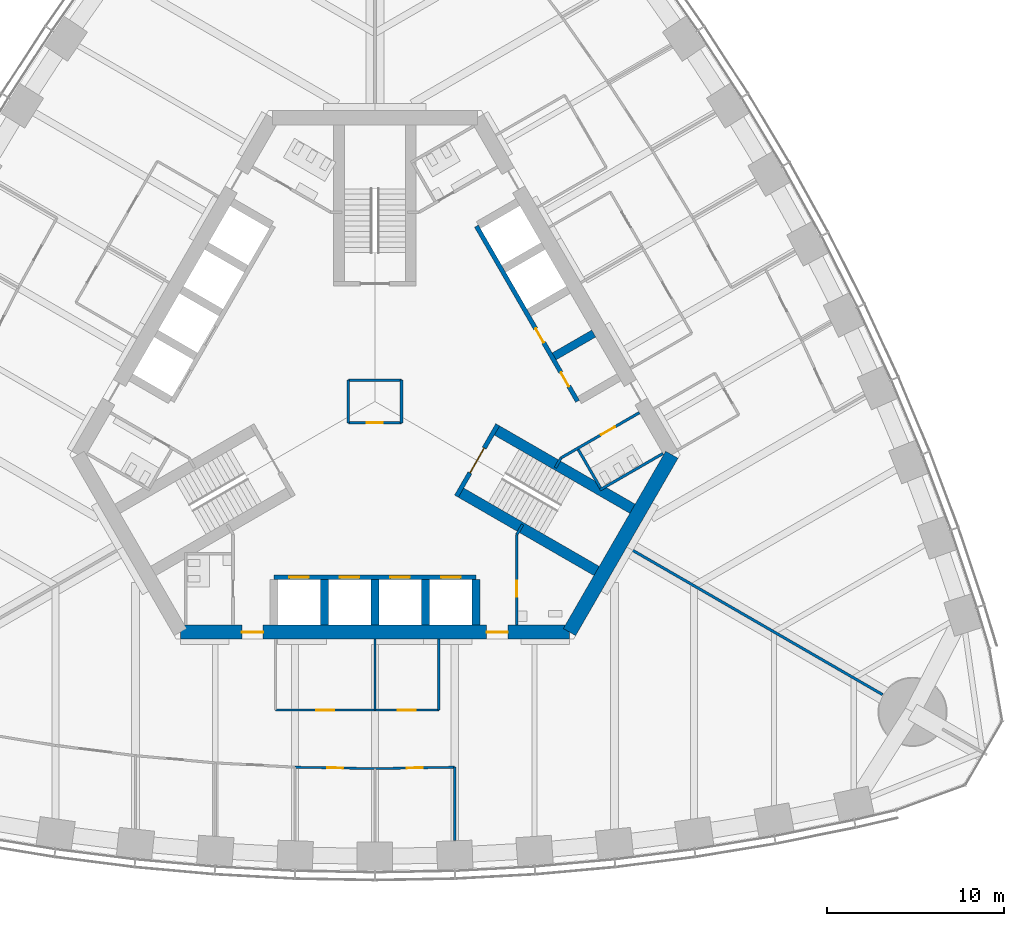
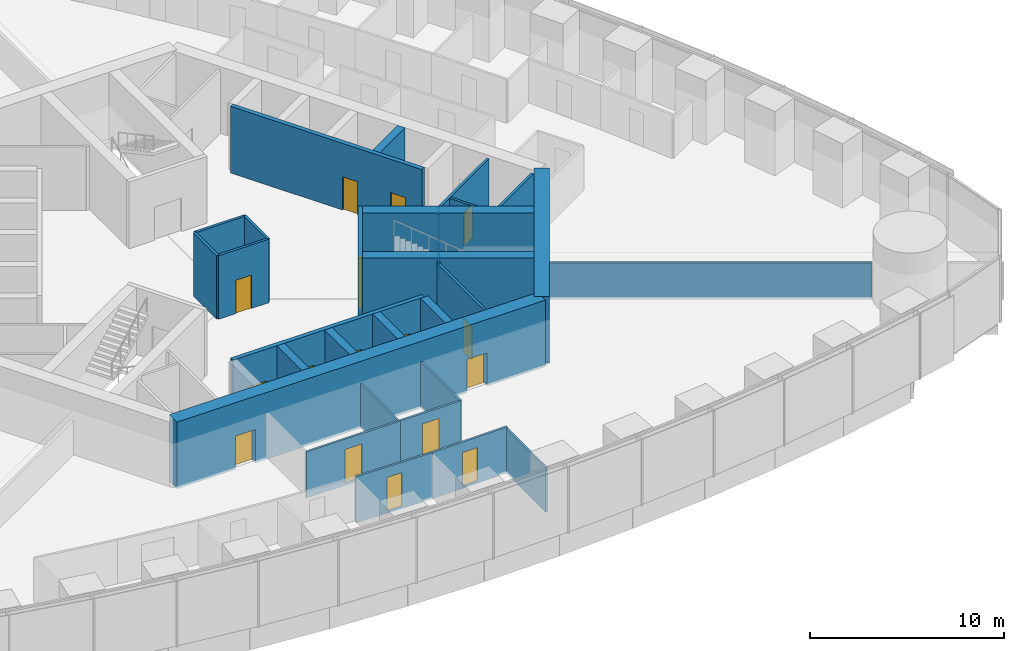
# One storey, part 11 of 18: 30 walls, 16 doors, 16 openings.
"""IFC4 building model written with IfcOpenShell, lengths in metres."""

from ifc_helpers import new_model, si_unit, direction, frame, frame_2d, origin, place, context, subcontext, project, spatial, rectangle, extrude, material, layer, layer_set, type_object, element, fill, save


model = new_model("IFC4")

# Units and contexts
model_context = context("Model", 3, precision=1e-05, world=origin(), true_north=direction((0.0, 1.0)))
body_context = subcontext(model_context, "Body", "Model", "MODEL_VIEW")
ifc_project = project(units=[si_unit("LENGTHUNIT", "METRE"), si_unit("AREAUNIT", "SQUARE_METRE"), si_unit("VOLUMEUNIT", "CUBIC_METRE"), si_unit("PLANEANGLEUNIT", "RADIAN"), si_unit("MASSUNIT", "GRAM", prefix="KILO")], contexts=[model_context])

# Site, building, storey
site_placement = place(None, origin())
site = spatial("IfcSite", under=ifc_project, at=site_placement, CompositionType="ELEMENT")
building_placement = place(site_placement, origin())
building = spatial("IfcBuilding", under=site, at=building_placement, Name="Trefoil Bronze Tower", CompositionType="ELEMENT")
storey_placement = place(building_placement, frame((0.0, 0.0, 157.699951171875)))
storey = spatial("IfcBuildingStorey", under=building, at=storey_placement, Name="L36", CompositionType="ELEMENT", Elevation=157.699951171875)

# Wall, openings, doors
ifc_material_1 = material(Name="Concrete B80", Category="concrete")
ifc_layer_1 = layer(ifc_material_1, 0.800048828125)
ifc_layer_set_1 = layer_set([ifc_layer_1], Name="Core wall 800")
wall_type_1 = type_object("IfcWallType", Name="Core wall 800", PredefinedType="SHEAR", material=ifc_layer_set_1)
wall_1_placement = place(storey_placement, frame((-10.9697265625, -13.0, 0.0), z_axis=(0.0, 0.0, 1.0), x_axis=(1.0, 0.0, 0.0)))
wall_1 = element("IfcWall", 1, at=wall_1_placement, inside=storey, type_object=wall_type_1, Name="Core long wall 1 L36", PredefinedType="SHEAR", context=body_context, shape_type="SweptSolid", body=[
    extrude(rectangle(XDim=21.939453125, YDim=0.800048828125, at=frame_2d((10.9697265625, 0.0))), origin(), (0.0, 0.0, 1.0), 4.199951171875),
])
opening_1_placement = place(wall_1_placement, frame((17.269775390625, 0.0, 0.0)))
opening_1 = element("IfcOpeningElement", 2, at=opening_1_placement, cuts=wall_1, Name="Opening D2", PredefinedType="OPENING", context=body_context, shape_type="SweptSolid", body=[
    extrude(rectangle(XDim=1.199951171875, YDim=2.10009765625, at=frame_2d((0.60009765625, 1.050048828125))), frame((0.0, 0.409912109375, 0.0), z_axis=(0.0, -1.0, 0.0), x_axis=(1.0, 0.0, 0.0)), (0.0, 0.0, 1.0), 0.820068359375),
])
opening_2_placement = place(wall_1_placement, frame((3.4697265625, 0.0, 0.0)))
opening_2 = element("IfcOpeningElement", 3, at=opening_2_placement, cuts=wall_1, Name="Opening D2", PredefinedType="OPENING", context=body_context, shape_type="SweptSolid", body=[
    extrude(rectangle(XDim=1.199951171875, YDim=2.10009765625, at=frame_2d((0.60009765625, 1.050048828125))), frame((0.0, 0.409912109375, 0.0), z_axis=(0.0, -1.0, 0.0), x_axis=(1.0, 0.0, 0.0)), (0.0, 0.0, 1.0), 0.820068359375),
])
ifc_material_2 = material(Name="Steel door", Category="steel")
door_type_1 = type_object("IfcDoorType", Name="Lobby door 1200", OperationType="SINGLE_SWING_RIGHT", PredefinedType="DOOR", material=ifc_material_2)
door_1_placement = place(opening_1_placement, origin())
door_1 = element("IfcDoor", 4, at=door_1_placement, inside=storey, type_object=door_type_1, Name="Lobby door F1+ L36", OperationType="SINGLE_SWING_RIGHT", OverallHeight=2.10009765625, OverallWidth=1.199951171875, PredefinedType="DOOR", context=body_context, shape_type="SweptSolid", body=[
    extrude(rectangle(XDim=1.199951171875, YDim=2.10009765625, at=frame_2d((0.60009765625, 1.050048828125))), frame((0.0, 0.02490234375, 0.0), z_axis=(0.0, -1.0, 0.0), x_axis=(1.0, 0.0, 0.0)), (0.0, 0.0, 1.0), 0.050048828125),
])
fill(opening_1, door_1)
door_2_placement = place(opening_2_placement, origin())
door_2 = element("IfcDoor", 5, at=door_2_placement, inside=storey, type_object=door_type_1, Name="Lobby door F1- L36", OperationType="SINGLE_SWING_LEFT", OverallHeight=2.10009765625, OverallWidth=1.199951171875, PredefinedType="DOOR", context=body_context, shape_type="SweptSolid", body=[
    extrude(rectangle(XDim=1.199951171875, YDim=2.10009765625, at=frame_2d((0.60009765625, 1.050048828125))), frame((0.0, 0.02490234375, 0.0), z_axis=(0.0, -1.0, 0.0), x_axis=(1.0, 0.0, 0.0)), (0.0, 0.0, 1.0), 0.050048828125),
])
fill(opening_2, door_2)

# Wall
wall_2_placement = place(storey_placement, frame((10.9697265625, -13.0, 0.0), z_axis=(0.0, 0.0, 1.0), x_axis=(0.499995765644, 0.866027848477, 0.0)))
element("IfcWall", 6, at=wall_2_placement, inside=storey, type_object=wall_type_1, Name="Core short wall 1 L36", PredefinedType="SHEAR", context=body_context, shape_type="SweptSolid", body=[
    extrude(rectangle(XDim=11.546875, YDim=0.800048828125, at=frame_2d((5.7734375, 0.0))), origin(), (0.0, 0.0, 1.0), 4.199951171875),
])

# Wall, opening, door
ifc_material_3 = material(Name="Glazed partition", Category="glass")
ifc_layer_2 = layer(ifc_material_3, 0.1201171875)
ifc_layer_set_2 = layer_set([ifc_layer_2], Name="Glazed partition 120")
wall_type_2 = type_object("IfcWallType", Name="Glazed partition 120", PredefinedType="PARTITIONING", material=ifc_layer_set_2)
wall_3_placement = place(storey_placement, frame((0.0, -17.39990234375, 0.0), z_axis=(0.0, 0.0, 1.0), x_axis=(1.0, 0.0, 0.0)))
wall_3 = element("IfcWall", 7, at=wall_3_placement, inside=storey, type_object=wall_type_2, Name="Partition F1 L36", PredefinedType="PARTITIONING", context=body_context, shape_type="SweptSolid", body=[
    extrude(rectangle(XDim=3.60009765625, YDim=0.1201171875, at=frame_2d((1.800048828125, 0.0))), origin(), (0.0, 0.0, 1.0), 2.900146484375),
])
opening_3_placement = place(wall_3_placement, frame((1.300048828125, 0.0, 0.14990234375)))
opening_3 = element("IfcOpeningElement", 8, at=opening_3_placement, cuts=wall_3, Name="Opening D9", PredefinedType="OPENING", context=body_context, shape_type="SweptSolid", body=[
    extrude(rectangle(XDim=1.0, YDim=2.10009765625, at=frame_2d((0.5, 1.050048828125))), frame((0.0, 0.070068359375, 0.0), z_axis=(0.0, -1.0, 0.0), x_axis=(1.0, 0.0, 0.0)), (0.0, 0.0, 1.0), 0.14013671875),
])
ifc_material_4 = material(Name="Glazed timber door", Category="wood")
door_type_2 = type_object("IfcDoorType", Name="Meeting room door 1000", OperationType="SINGLE_SWING_LEFT", PredefinedType="DOOR", material=ifc_material_4)
door_3_placement = place(opening_3_placement, origin())
door_3 = element("IfcDoor", 9, at=door_3_placement, inside=storey, type_object=door_type_2, Name="Meeting room door F1 L36", OperationType="SINGLE_SWING_LEFT", OverallHeight=2.10009765625, OverallWidth=1.0, PredefinedType="DOOR", context=body_context, shape_type="SweptSolid", body=[
    extrude(rectangle(XDim=1.0, YDim=2.10009765625, at=frame_2d((0.5, 1.050048828125))), frame((0.0, 0.02490234375, 0.0), z_axis=(0.0, -1.0, 0.0), x_axis=(1.0, 0.0, 0.0)), (0.0, 0.0, 1.0), 0.050048828125),
])
fill(opening_3, door_3)

wall_4_placement = place(storey_placement, frame((-5.60009765625, -17.39990234375, 0.0), z_axis=(0.0, 0.0, 1.0), x_axis=(1.0, 0.0, 0.0)))
wall_4 = element("IfcWall", 10, at=wall_4_placement, inside=storey, type_object=wall_type_2, Name="Partition F1 L36", PredefinedType="PARTITIONING", context=body_context, shape_type="SweptSolid", body=[
    extrude(rectangle(XDim=5.60009765625, YDim=0.1201171875, at=frame_2d((2.800048828125, 0.0))), origin(), (0.0, 0.0, 1.0), 2.900146484375),
])
opening_4_placement = place(wall_4_placement, frame((2.300048828125, 0.0, 0.14990234375)))
opening_4 = element("IfcOpeningElement", 11, at=opening_4_placement, cuts=wall_4, Name="Opening D9", PredefinedType="OPENING", context=body_context, shape_type="SweptSolid", body=[
    extrude(rectangle(XDim=1.0, YDim=2.10009765625, at=frame_2d((0.5, 1.050048828125))), frame((0.0, 0.070068359375, 0.0), z_axis=(0.0, -1.0, 0.0), x_axis=(1.0, 0.0, 0.0)), (0.0, 0.0, 1.0), 0.14013671875),
])
door_4_placement = place(opening_4_placement, origin())
door_4 = element("IfcDoor", 12, at=door_4_placement, inside=storey, type_object=door_type_2, Name="Meeting room door F1 L36", OperationType="SINGLE_SWING_LEFT", OverallHeight=2.10009765625, OverallWidth=1.0, PredefinedType="DOOR", context=body_context, shape_type="SweptSolid", body=[
    extrude(rectangle(XDim=1.0, YDim=2.10009765625, at=frame_2d((0.5, 1.050048828125))), frame((0.0, 0.02490234375, 0.0), z_axis=(0.0, -1.0, 0.0), x_axis=(1.0, 0.0, 0.0)), (0.0, 0.0, 1.0), 0.050048828125),
])
fill(opening_4, door_4)

# Walls
wall_5_placement = place(storey_placement, frame((3.60009765625, -13.39990234375, 0.0), z_axis=(0.0, 0.0, 1.0), x_axis=(0.0, -1.0, 0.0)))
element("IfcWall", 13, at=wall_5_placement, inside=storey, type_object=wall_type_2, Name="Partition F1 L36", PredefinedType="PARTITIONING", context=body_context, shape_type="SweptSolid", body=[
    extrude(rectangle(XDim=4.0, YDim=0.1201171875, at=frame_2d((2.0, 0.0))), origin(), (0.0, 0.0, 1.0), 2.900146484375),
])
wall_6_placement = place(storey_placement, frame((0.0, -13.39990234375, 0.0), z_axis=(0.0, 0.0, 1.0), x_axis=(0.0, -1.0, 0.0)))
element("IfcWall", 14, at=wall_6_placement, inside=storey, type_object=wall_type_2, Name="Partition F1 L36", PredefinedType="PARTITIONING", context=body_context, shape_type="SweptSolid", body=[
    extrude(rectangle(XDim=4.0, YDim=0.1201171875, at=frame_2d((2.0, 0.0))), origin(), (0.0, 0.0, 1.0), 2.800048828125),
])

# Wall, opening, door
wall_7_placement = place(storey_placement, frame((0.0, -20.69970703125, 0.0), z_axis=(0.0, 0.0, 1.0), x_axis=(0.999837820638, 0.018009231578, 0.0)))
wall_7 = element("IfcWall", 15, at=wall_7_placement, inside=storey, type_object=wall_type_2, Name="Partition F1 L36", PredefinedType="PARTITIONING", context=body_context, shape_type="SweptSolid", body=[
    extrude(rectangle(XDim=4.500732421875, YDim=0.1201171875, at=frame_2d((2.25048828125, 0.0))), origin(), (0.0, 0.0, 1.0), 2.900146484375),
])
opening_5_placement = place(wall_7_placement, frame((1.800048828125, 0.0, 0.14990234375)))
opening_5 = element("IfcOpeningElement", 16, at=opening_5_placement, cuts=wall_7, Name="Opening D8", PredefinedType="OPENING", context=body_context, shape_type="SweptSolid", body=[
    extrude(rectangle(XDim=0.89990234375, YDim=2.10009765625, at=frame_2d((0.449951171875, 1.050048828125))), frame((0.0, 0.070068359375, 0.0), z_axis=(0.0, -1.0, 0.0), x_axis=(1.0, 0.0, 0.0)), (0.0, 0.0, 1.0), 0.14013671875),
])
ifc_material_5 = material(Name="Timber door", Category="wood")
door_type_3 = type_object("IfcDoorType", Name="Office door 900", OperationType="SINGLE_SWING_LEFT", PredefinedType="DOOR", material=ifc_material_5)
door_5_placement = place(opening_5_placement, frame((0.89990234375, 0.0, 0.0), z_axis=(0.0, 0.0, 1.0), x_axis=(-1.0, 0.0, 0.0)))
door_5 = element("IfcDoor", 17, at=door_5_placement, inside=storey, type_object=door_type_3, Name="Office door F1 L36", OperationType="SINGLE_SWING_RIGHT", OverallHeight=2.10009765625, OverallWidth=0.89990234375, PredefinedType="DOOR", context=body_context, shape_type="SweptSolid", body=[
    extrude(rectangle(XDim=0.89990234375, YDim=2.10009765625, at=frame_2d((0.449951171875, 1.050048828125))), frame((0.0, 0.02490234375, 0.0), z_axis=(0.0, -1.0, 0.0), x_axis=(1.0, 0.0, 0.0)), (0.0, 0.0, 1.0), 0.050048828125),
])
fill(opening_5, door_5)

wall_8_placement = place(storey_placement, frame((-4.5, -20.61865234375, 0.0), z_axis=(0.0, 0.0, 1.0), x_axis=(0.999837820638, -0.018009231578, 0.0)))
wall_8 = element("IfcWall", 18, at=wall_8_placement, inside=storey, type_object=wall_type_2, Name="Partition F1 L36", PredefinedType="PARTITIONING", context=body_context, shape_type="SweptSolid", body=[
    extrude(rectangle(XDim=4.500732421875, YDim=0.1201171875, at=frame_2d((2.25048828125, 0.0))), origin(), (0.0, 0.0, 1.0), 2.900146484375),
])
opening_6_placement = place(wall_8_placement, frame((1.800048828125, 0.0, 0.14990234375)))
opening_6 = element("IfcOpeningElement", 19, at=opening_6_placement, cuts=wall_8, Name="Opening D8", PredefinedType="OPENING", context=body_context, shape_type="SweptSolid", body=[
    extrude(rectangle(XDim=0.89990234375, YDim=2.10009765625, at=frame_2d((0.449951171875, 1.050048828125))), frame((0.0, 0.070068359375, 0.0), z_axis=(0.0, -1.0, 0.0), x_axis=(1.0, 0.0, 0.0)), (0.0, 0.0, 1.0), 0.14013671875),
])
door_6_placement = place(opening_6_placement, frame((0.89990234375, 0.0, 0.0), z_axis=(0.0, 0.0, 1.0), x_axis=(-1.0, 0.0, 0.0)))
door_6 = element("IfcDoor", 20, at=door_6_placement, inside=storey, type_object=door_type_3, Name="Office door F1 L36", OperationType="SINGLE_SWING_RIGHT", OverallHeight=2.10009765625, OverallWidth=0.89990234375, PredefinedType="DOOR", context=body_context, shape_type="SweptSolid", body=[
    extrude(rectangle(XDim=0.89990234375, YDim=2.10009765625, at=frame_2d((0.449951171875, 1.050048828125))), frame((0.0, 0.02490234375, 0.0), z_axis=(0.0, -1.0, 0.0), x_axis=(1.0, 0.0, 0.0)), (0.0, 0.0, 1.0), 0.050048828125),
])
fill(opening_6, door_6)

# Walls
wall_9_placement = place(storey_placement, frame((4.5, -20.61865234375, 0.0), z_axis=(0.0, 0.0, 1.0), x_axis=(0.0, -1.0, 0.0)))
element("IfcWall", 21, at=wall_9_placement, inside=storey, type_object=wall_type_2, Name="Partition F1 L36", PredefinedType="PARTITIONING", context=body_context, shape_type="SweptSolid", body=[
    extrude(rectangle(XDim=4.118896484375, YDim=0.1201171875, at=frame_2d((2.0595703125, 0.0))), origin(), (0.0, 0.0, 1.0), 2.800048828125),
])
ifc_material_6 = material(Name="Concrete B80", Category="concrete")
ifc_layer_3 = layer(ifc_material_6, 0.449951171875)
ifc_layer_set_3 = layer_set([ifc_layer_3], Name="Outrigger shaft wall 450")
wall_type_3 = type_object("IfcWallType", Name="Outrigger shaft wall 450", PredefinedType="SHEAR", material=ifc_layer_set_3)
for number, where, z_axis, x_axis, name in (
    (22, (-2.85009765625, -10.02490234375, 0.0), (0.0, 0.0, 1.0), (0.0, -1.0, 0.0), "Lift shaft side wall A1 L36"),
    (23, (0.0, -10.02490234375, 0.0), (0.0, 0.0, 1.0), (0.0, -1.0, 0.0), "Lift shaft side wall A2 L36"),
    (24, (2.85009765625, -10.02490234375, 0.0), (0.0, 0.0, 1.0), (0.0, -1.0, 0.0), "Lift shaft side wall A3 L36"),
    (25, (5.699951171875, -10.02490234375, 0.0), (0.0, 0.0, 1.0), (0.0, -1.0, 0.0), "Lift shaft side wall A4 L36"),
):
    element("IfcWall", number, at=place(storey_placement, frame(where, z_axis=z_axis, x_axis=x_axis)), inside=storey, type_object=wall_type_3, Name=name, PredefinedType="SHEAR", context=body_context, shape_type="SweptSolid", body=[
        extrude(rectangle(XDim=2.5751953125, YDim=0.449951171875, at=frame_2d((1.28759765625, 0.0))), origin(), (0.0, 0.0, 1.0), 4.199951171875),
    ])
wall_10_placement = place(storey_placement, frame((10.10693359375, 2.54443359375, 0.0), z_axis=(0.0, 0.0, 1.0), x_axis=(0.866046643894, 0.499963209246, 0.0)))
element("IfcWall", 26, at=wall_10_placement, inside=storey, type_object=wall_type_3, Name="Lift shaft side wall B1 L36", PredefinedType="SHEAR", context=body_context, shape_type="SweptSolid", body=[
    extrude(rectangle(XDim=2.574951171875, YDim=0.449951171875, at=frame_2d((1.28759765625, 0.0))), origin(), (0.0, 0.0, 1.0), 4.199951171875),
])

# Wall, opening, door
ifc_material_7 = material(Name="Gypsum board on steel studs", Category="steel")
ifc_layer_4 = layer(ifc_material_7, 0.14990234375)
ifc_layer_set_4 = layer_set([ifc_layer_4], Name="Partition 150")
wall_type_4 = type_object("IfcWallType", Name="Partition 150", PredefinedType="PARTITIONING", material=ifc_layer_set_4)
wall_11_placement = place(storey_placement, frame((8.0, -7.5, 0.0), z_axis=(0.0, 0.0, 1.0), x_axis=(0.0, -1.0, 0.0)))
wall_11 = element("IfcWall", 27, at=wall_11_placement, inside=storey, type_object=wall_type_4, Name="Passage wall F1+ L36", PredefinedType="PARTITIONING", context=body_context, shape_type="SweptSolid", body=[
    extrude(rectangle(XDim=5.10009765625, YDim=0.14990234375, at=frame_2d((2.550048828125, 0.0))), origin(), (0.0, 0.0, 1.0), 4.0),
])
opening_7_placement = place(wall_11_placement, frame((2.60009765625, 0.0, 0.0)))
opening_7 = element("IfcOpeningElement", 28, at=opening_7_placement, cuts=wall_11, Name="Opening D3", PredefinedType="OPENING", context=body_context, shape_type="SweptSolid", body=[
    extrude(rectangle(XDim=0.89990234375, YDim=2.10009765625, at=frame_2d((0.449951171875, 1.050048828125))), frame((0.0, 0.0849609375, 0.0), z_axis=(0.0, -1.0, 0.0), x_axis=(1.0, 0.0, 0.0)), (0.0, 0.0, 1.0), 0.169921875),
])
ifc_material_8 = material(Name="Timber door", Category="wood")
door_type_4 = type_object("IfcDoorType", Name="WC door 900", OperationType="SINGLE_SWING_LEFT", PredefinedType="DOOR", material=ifc_material_8)
door_7_placement = place(opening_7_placement, origin())
door_7 = element("IfcDoor", 29, at=door_7_placement, inside=storey, type_object=door_type_4, Name="Accessible WC door L36", OperationType="SINGLE_SWING_RIGHT", OverallHeight=2.10009765625, OverallWidth=0.89990234375, PredefinedType="DOOR", context=body_context, shape_type="SweptSolid", body=[
    extrude(rectangle(XDim=0.89990234375, YDim=2.10009765625, at=frame_2d((0.449951171875, 1.050048828125))), frame((0.0, 0.02490234375, 0.0), z_axis=(0.0, -1.0, 0.0), x_axis=(1.0, 0.0, 0.0)), (0.0, 0.0, 1.0), 0.050048828125),
])
fill(opening_7, door_7)

wall_12_placement = place(storey_placement, frame((10.4951171875, -3.17822265625, 0.0), z_axis=(0.0, 0.0, 1.0), x_axis=(0.86602216432, 0.500005610874, 0.0)))
wall_12 = element("IfcWall", 30, at=wall_12_placement, inside=storey, type_object=wall_type_4, Name="Passage wall F2- L36", PredefinedType="PARTITIONING", context=body_context, shape_type="SweptSolid", body=[
    extrude(rectangle(XDim=5.10009765625, YDim=0.14990234375, at=frame_2d((2.550048828125, 0.0))), origin(), (0.0, 0.0, 1.0), 4.0),
])
opening_8_placement = place(wall_12_placement, frame((2.60009765625, 0.0, 0.0)))
opening_8 = element("IfcOpeningElement", 31, at=opening_8_placement, cuts=wall_12, Name="Opening D3", PredefinedType="OPENING", context=body_context, shape_type="SweptSolid", body=[
    extrude(rectangle(XDim=0.89990234375, YDim=2.10009765625, at=frame_2d((0.449951171875, 1.050048828125))), frame((0.0, 0.0849609375, 0.0), z_axis=(0.0, -1.0, 0.0), x_axis=(1.0, 0.0, 0.0)), (0.0, 0.0, 1.0), 0.169921875),
])
door_8_placement = place(opening_8_placement, frame((0.89990234375, 0.0, 0.0), z_axis=(0.0, 0.0, 1.0), x_axis=(-1.0, 0.0, 0.0)))
door_8 = element("IfcDoor", 32, at=door_8_placement, inside=storey, type_object=door_type_4, Name="WC (women) door L36", OperationType="SINGLE_SWING_RIGHT", OverallHeight=2.10009765625, OverallWidth=0.89990234375, PredefinedType="DOOR", context=body_context, shape_type="SweptSolid", body=[
    extrude(rectangle(XDim=0.89990234375, YDim=2.10009765625, at=frame_2d((0.449951171875, 1.050048828125))), frame((0.0, 0.02490234375, 0.0), z_axis=(0.0, -1.0, 0.0), x_axis=(1.0, 0.0, 0.0)), (0.0, 0.0, 1.0), 0.050048828125),
])
fill(opening_8, door_8)

# Walls
for number, where, z_axis, x_axis, name in (
    (33, (8.0, -7.5, 0.0), (0.0, 0.0, 1.0), (0.499842556608, 0.866116284689, 0.0), "WC wall ST1-1 L36"),
    (34, (10.4951171875, -3.17822265625, 0.0), (0.0, 0.0, 1.0), (-0.499842556608, -0.866116284689, 0.0), "WC wall ST1+1 L36"),
):
    element("IfcWall", number, at=place(storey_placement, frame(where, z_axis=z_axis, x_axis=x_axis)), inside=storey, type_object=wall_type_4, Name=name, PredefinedType="PARTITIONING", context=body_context, shape_type="SweptSolid", body=[
        extrude(rectangle(XDim=0.645263671875, YDim=0.14990234375, at=frame_2d((0.32275390625, 0.0))), origin(), (0.0, 0.0, 1.0), 4.0),
    ])
wall_13_placement = place(storey_placement, frame((12.691162109375, -4.98193359375, 0.0), z_axis=(0.0, 0.0, 1.0), x_axis=(0.8660249478, 0.500000789788, 0.0)))
element("IfcWall", 35, at=wall_13_placement, inside=storey, type_object=wall_type_4, Name="WC partition WC (women) L36", PredefinedType="PARTITIONING", context=body_context, shape_type="SweptSolid", body=[
    extrude(rectangle(XDim=4.10009765625, YDim=0.14990234375, at=frame_2d((2.050048828125, 0.0))), origin(), (0.0, 0.0, 1.0), 4.0),
])
wall_14_placement = place(storey_placement, frame((11.463623046875, -2.70556640625, 0.0), z_axis=(0.0, 0.0, 1.0), x_axis=(0.50001992892, -0.866013897511, 0.0)))
element("IfcWall", 36, at=wall_14_placement, inside=storey, type_object=wall_type_4, Name="WC partition WC (women) L36", PredefinedType="PARTITIONING", context=body_context, shape_type="SweptSolid", body=[
    extrude(rectangle(XDim=2.51025390625, YDim=0.14990234375, at=frame_2d((1.255126953125, 0.0))), origin(), (0.0, 0.0, 1.0), 4.0),
])
ifc_material_9 = material(Name="Gypsum board on steel studs", Category="steel")
ifc_layer_5 = layer(ifc_material_9, 0.14990234375)
ifc_layer_set_5 = layer_set([ifc_layer_5], Name="Party wall 150")
wall_type_5 = type_object("IfcWallType", Name="Party wall 150", PredefinedType="PARTITIONING", material=ifc_layer_set_5)
wall_15_placement = place(storey_placement, frame((14.202880859375, -8.199951171875, 0.0), z_axis=(0.0, 0.0, 1.0), x_axis=(0.866024668836, -0.500001272966, 0.0)))
element("IfcWall", 37, at=wall_15_placement, inside=storey, type_object=wall_type_5, Name="Party wall K1 L36", PredefinedType="PARTITIONING", context=body_context, shape_type="SweptSolid", body=[
    extrude(rectangle(XDim=16.64990234375, YDim=0.14990234375, at=frame_2d((8.324951171875, 0.0))), origin(), (0.0, 0.0, 1.0), 2.300048828125),
])

# Wall, opening, door
ifc_material_10 = material(Name="Gypsum board on steel studs", Category="steel")
ifc_layer_6 = layer(ifc_material_10, 0.14990234375)
ifc_layer_set_6 = layer_set([ifc_layer_6], Name="Riser wall 150")
wall_type_6 = type_object("IfcWallType", Name="Riser wall 150", PredefinedType="PARTITIONING", material=ifc_layer_set_6)
wall_16_placement = place(storey_placement, frame((-1.5, -1.199951171875, 0.0), z_axis=(0.0, 0.0, 1.0), x_axis=(1.0, 0.0, 0.0)))
wall_16 = element("IfcWall", 38, at=wall_16_placement, inside=storey, type_object=wall_type_6, Name="Riser wall L36", PredefinedType="PARTITIONING", context=body_context, shape_type="SweptSolid", body=[
    extrude(rectangle(XDim=3.0, YDim=0.14990234375, at=frame_2d((1.5, 0.0))), origin(), (0.0, 0.0, 1.0), 4.0),
])
opening_9_placement = place(wall_16_placement, frame((1.050048828125, 0.0, 0.0)))
opening_9 = element("IfcOpeningElement", 39, at=opening_9_placement, cuts=wall_16, Name="Opening D4", PredefinedType="OPENING", context=body_context, shape_type="SweptSolid", body=[
    extrude(rectangle(XDim=0.89990234375, YDim=2.10009765625, at=frame_2d((0.449951171875, 1.050048828125))), frame((0.0, 0.0849609375, 0.0), z_axis=(0.0, -1.0, 0.0), x_axis=(1.0, 0.0, 0.0)), (0.0, 0.0, 1.0), 0.169921875),
])
ifc_material_11 = material(Name="Steel door", Category="steel")
door_type_5 = type_object("IfcDoorType", Name="Riser door 900", OperationType="SINGLE_SWING_LEFT", PredefinedType="DOOR", material=ifc_material_11)
door_9_placement = place(opening_9_placement, frame((0.89990234375, 0.0, 0.0), z_axis=(0.0, 0.0, 1.0), x_axis=(-1.0, 0.0, 0.0)))
door_9 = element("IfcDoor", 40, at=door_9_placement, inside=storey, type_object=door_type_5, Name="Riser door L36", OperationType="SINGLE_SWING_LEFT", OverallHeight=2.10009765625, OverallWidth=0.89990234375, PredefinedType="DOOR", context=body_context, shape_type="SweptSolid", body=[
    extrude(rectangle(XDim=0.89990234375, YDim=2.10009765625, at=frame_2d((0.449951171875, 1.050048828125))), frame((0.0, 0.02490234375, 0.0), z_axis=(0.0, -1.0, 0.0), x_axis=(1.0, 0.0, 0.0)), (0.0, 0.0, 1.0), 0.050048828125),
])
fill(opening_9, door_9)

# Walls
wall_17_placement = place(storey_placement, frame((1.5, -1.199951171875, 0.0), z_axis=(0.0, 0.0, 1.0), x_axis=(0.0, 1.0, 0.0)))
element("IfcWall", 41, at=wall_17_placement, inside=storey, type_object=wall_type_6, Name="Riser wall L36", PredefinedType="PARTITIONING", context=body_context, shape_type="SweptSolid", body=[
    extrude(rectangle(XDim=2.39990234375, YDim=0.14990234375, at=frame_2d((1.199951171875, 0.0))), origin(), (0.0, 0.0, 1.0), 4.0),
])
wall_18_placement = place(storey_placement, frame((1.5, 1.199951171875, 0.0), z_axis=(0.0, 0.0, 1.0), x_axis=(-1.0, 0.0, 0.0)))
element("IfcWall", 42, at=wall_18_placement, inside=storey, type_object=wall_type_6, Name="Riser wall L36", PredefinedType="PARTITIONING", context=body_context, shape_type="SweptSolid", body=[
    extrude(rectangle(XDim=3.0, YDim=0.14990234375, at=frame_2d((1.5, 0.0))), origin(), (0.0, 0.0, 1.0), 4.0),
])
wall_19_placement = place(storey_placement, frame((-1.5, 1.199951171875, 0.0), z_axis=(0.0, 0.0, 1.0), x_axis=(0.0, -1.0, 0.0)))
element("IfcWall", 43, at=wall_19_placement, inside=storey, type_object=wall_type_6, Name="Riser wall L36", PredefinedType="PARTITIONING", context=body_context, shape_type="SweptSolid", body=[
    extrude(rectangle(XDim=2.39990234375, YDim=0.14990234375, at=frame_2d((1.199951171875, 0.0))), origin(), (0.0, 0.0, 1.0), 4.0),
])

# Wall, openings, doors
ifc_material_12 = material(Name="Concrete B80", Category="concrete")
ifc_layer_7 = layer(ifc_material_12, 0.25)
ifc_layer_set_7 = layer_set([ifc_layer_7], Name="Shaft wall 250")
wall_type_7 = type_object("IfcWallType", Name="Shaft wall 250", PredefinedType="SHEAR", material=ifc_layer_set_7)
wall_20_placement = place(storey_placement, frame((-5.699951171875, -9.89990234375, 0.0), z_axis=(0.0, 0.0, 1.0), x_axis=(1.0, 0.0, 0.0)))
wall_20 = element("IfcWall", 44, at=wall_20_placement, inside=storey, type_object=wall_type_7, Name="Lift shaft front wall A L36", PredefinedType="SHEAR", context=body_context, shape_type="SweptSolid", body=[
    extrude(rectangle(XDim=11.39990234375, YDim=0.25, at=frame_2d((5.699951171875, 0.0))), origin(), (0.0, 0.0, 1.0), 4.199951171875),
])
opening_10_placement = place(wall_20_placement, frame((0.875, 0.0, 0.0)))
opening_10 = element("IfcOpeningElement", 45, at=opening_10_placement, cuts=wall_20, Name="Opening LD-P21", PredefinedType="OPENING", context=body_context, shape_type="SweptSolid", body=[
    extrude(rectangle(XDim=1.10009765625, YDim=2.199951171875, at=frame_2d((0.550048828125, 1.10009765625))), frame((0.0, 0.135009765625, 0.0), z_axis=(0.0, -1.0, 0.0), x_axis=(1.0, 0.0, 0.0)), (0.0, 0.0, 1.0), 0.27001953125),
])
opening_11_placement = place(wall_20_placement, frame((3.72509765625, 0.0, 0.0)))
opening_11 = element("IfcOpeningElement", 46, at=opening_11_placement, cuts=wall_20, Name="Opening LD-P22", PredefinedType="OPENING", context=body_context, shape_type="SweptSolid", body=[
    extrude(rectangle(XDim=1.10009765625, YDim=2.199951171875, at=frame_2d((0.550048828125, 1.10009765625))), frame((0.0, 0.135009765625, 0.0), z_axis=(0.0, -1.0, 0.0), x_axis=(1.0, 0.0, 0.0)), (0.0, 0.0, 1.0), 0.27001953125),
])
opening_12_placement = place(wall_20_placement, frame((6.574951171875, 0.0, 0.0)))
opening_12 = element("IfcOpeningElement", 47, at=opening_12_placement, cuts=wall_20, Name="Opening LD-P23", PredefinedType="OPENING", context=body_context, shape_type="SweptSolid", body=[
    extrude(rectangle(XDim=1.10009765625, YDim=2.199951171875, at=frame_2d((0.550048828125, 1.10009765625))), frame((0.0, 0.135009765625, 0.0), z_axis=(0.0, -1.0, 0.0), x_axis=(1.0, 0.0, 0.0)), (0.0, 0.0, 1.0), 0.27001953125),
])
opening_13_placement = place(wall_20_placement, frame((9.425048828125, 0.0, 0.0)))
opening_13 = element("IfcOpeningElement", 48, at=opening_13_placement, cuts=wall_20, Name="Opening LD-P24", PredefinedType="OPENING", context=body_context, shape_type="SweptSolid", body=[
    extrude(rectangle(XDim=1.10009765625, YDim=2.199951171875, at=frame_2d((0.550048828125, 1.10009765625))), frame((0.0, 0.135009765625, 0.0), z_axis=(0.0, -1.0, 0.0), x_axis=(1.0, 0.0, 0.0)), (0.0, 0.0, 1.0), 0.27001953125),
])
ifc_material_13 = material(Name="Steel door", Category="steel")
door_type_6 = type_object("IfcDoorType", Name="Lift landing door 1100", OperationType="DOUBLE_DOOR_SLIDING", PredefinedType="DOOR", material=ifc_material_13)
door_10_placement = place(opening_10_placement, origin())
door_10 = element("IfcDoor", 49, at=door_10_placement, inside=storey, type_object=door_type_6, Name="Lift P21 landing door L36", OperationType="DOUBLE_DOOR_SLIDING", OverallHeight=2.199951171875, OverallWidth=1.10009765625, PredefinedType="DOOR", context=body_context, shape_type="SweptSolid", body=[
    extrude(rectangle(XDim=1.10009765625, YDim=2.199951171875, at=frame_2d((0.550048828125, 1.10009765625))), frame((0.0, 0.02490234375, 0.0), z_axis=(0.0, -1.0, 0.0), x_axis=(1.0, 0.0, 0.0)), (0.0, 0.0, 1.0), 0.050048828125),
])
fill(opening_10, door_10)
door_11_placement = place(opening_11_placement, origin())
door_11 = element("IfcDoor", 50, at=door_11_placement, inside=storey, type_object=door_type_6, Name="Lift P22 landing door L36", OperationType="DOUBLE_DOOR_SLIDING", OverallHeight=2.199951171875, OverallWidth=1.10009765625, PredefinedType="DOOR", context=body_context, shape_type="SweptSolid", body=[
    extrude(rectangle(XDim=1.10009765625, YDim=2.199951171875, at=frame_2d((0.550048828125, 1.10009765625))), frame((0.0, 0.02490234375, 0.0), z_axis=(0.0, -1.0, 0.0), x_axis=(1.0, 0.0, 0.0)), (0.0, 0.0, 1.0), 0.050048828125),
])
fill(opening_11, door_11)
door_12_placement = place(opening_12_placement, origin())
door_12 = element("IfcDoor", 51, at=door_12_placement, inside=storey, type_object=door_type_6, Name="Lift P23 landing door L36", OperationType="DOUBLE_DOOR_SLIDING", OverallHeight=2.199951171875, OverallWidth=1.10009765625, PredefinedType="DOOR", context=body_context, shape_type="SweptSolid", body=[
    extrude(rectangle(XDim=1.10009765625, YDim=2.199951171875, at=frame_2d((0.550048828125, 1.10009765625))), frame((0.0, 0.02490234375, 0.0), z_axis=(0.0, -1.0, 0.0), x_axis=(1.0, 0.0, 0.0)), (0.0, 0.0, 1.0), 0.050048828125),
])
fill(opening_12, door_12)
door_13_placement = place(opening_13_placement, origin())
door_13 = element("IfcDoor", 52, at=door_13_placement, inside=storey, type_object=door_type_6, Name="Lift P24 landing door L36", OperationType="DOUBLE_DOOR_SLIDING", OverallHeight=2.199951171875, OverallWidth=1.10009765625, PredefinedType="DOOR", context=body_context, shape_type="SweptSolid", body=[
    extrude(rectangle(XDim=1.10009765625, YDim=2.199951171875, at=frame_2d((0.550048828125, 1.10009765625))), frame((0.0, 0.02490234375, 0.0), z_axis=(0.0, -1.0, 0.0), x_axis=(1.0, 0.0, 0.0)), (0.0, 0.0, 1.0), 0.050048828125),
])
fill(opening_13, door_13)

wall_21_placement = place(storey_placement, frame((11.423583984375, 0.013671875, 0.0), z_axis=(0.0, 0.0, 1.0), x_axis=(-0.500001763848, 0.866024385424, 0.0)))
wall_21 = element("IfcWall", 53, at=wall_21_placement, inside=storey, type_object=wall_type_7, Name="Lift shaft front wall B L36", PredefinedType="SHEAR", context=body_context, shape_type="SweptSolid", body=[
    extrude(rectangle(XDim=11.39990234375, YDim=0.25, at=frame_2d((5.699951171875, 0.0))), origin(), (0.0, 0.0, 1.0), 4.199951171875),
])
opening_14_placement = place(wall_21_placement, frame((0.97509765625, 0.0, 0.0)))
opening_14 = element("IfcOpeningElement", 54, at=opening_14_placement, cuts=wall_21, Name="Opening D12", PredefinedType="OPENING", context=body_context, shape_type="SweptSolid", body=[
    extrude(rectangle(XDim=0.89990234375, YDim=2.10009765625, at=frame_2d((0.449951171875, 1.050048828125))), frame((0.0, 0.135009765625, 0.0), z_axis=(0.0, -1.0, 0.0), x_axis=(1.0, 0.0, 0.0)), (0.0, 0.0, 1.0), 0.27001953125),
])
opening_15_placement = place(wall_21_placement, frame((3.824951171875, 0.0, 0.0)))
opening_15 = element("IfcOpeningElement", 55, at=opening_15_placement, cuts=wall_21, Name="Opening D12", PredefinedType="OPENING", context=body_context, shape_type="SweptSolid", body=[
    extrude(rectangle(XDim=0.89990234375, YDim=2.10009765625, at=frame_2d((0.449951171875, 1.050048828125))), frame((0.0, 0.135009765625, 0.0), z_axis=(0.0, -1.0, 0.0), x_axis=(1.0, 0.0, 0.0)), (0.0, 0.0, 1.0), 0.27001953125),
])
ifc_material_14 = material(Name="Steel door", Category="steel")
door_type_7 = type_object("IfcDoorType", Name="Shaft room door 900", OperationType="SINGLE_SWING_LEFT", PredefinedType="DOOR", material=ifc_material_14)
door_14_placement = place(opening_14_placement, frame((0.89990234375, 0.0, 0.0), z_axis=(0.0, 0.0, 1.0), x_axis=(-1.0, 0.0, 0.0)))
door_14 = element("IfcDoor", 56, at=door_14_placement, inside=storey, type_object=door_type_7, Name="Shaft room door B1 L36", OperationType="SINGLE_SWING_LEFT", OverallHeight=2.10009765625, OverallWidth=0.89990234375, PredefinedType="DOOR", context=body_context, shape_type="SweptSolid", body=[
    extrude(rectangle(XDim=0.89990234375, YDim=2.10009765625, at=frame_2d((0.449951171875, 1.050048828125))), frame((0.0, 0.02490234375, 0.0), z_axis=(0.0, -1.0, 0.0), x_axis=(1.0, 0.0, 0.0)), (0.0, 0.0, 1.0), 0.050048828125),
])
fill(opening_14, door_14)
door_15_placement = place(opening_15_placement, frame((0.89990234375, 0.0, 0.0), z_axis=(0.0, 0.0, 1.0), x_axis=(-1.0, 0.0, 0.0)))
door_15 = element("IfcDoor", 57, at=door_15_placement, inside=storey, type_object=door_type_7, Name="Shaft room door B2 L36", OperationType="SINGLE_SWING_RIGHT", OverallHeight=2.10009765625, OverallWidth=0.89990234375, PredefinedType="DOOR", context=body_context, shape_type="SweptSolid", body=[
    extrude(rectangle(XDim=0.89990234375, YDim=2.10009765625, at=frame_2d((0.449951171875, 1.050048828125))), frame((0.0, 0.02490234375, 0.0), z_axis=(0.0, -1.0, 0.0), x_axis=(1.0, 0.0, 0.0)), (0.0, 0.0, 1.0), 0.050048828125),
])
fill(opening_15, door_15)

# Wall, opening, door
wall_22_placement = place(storey_placement, frame((4.5966796875, -5.338623046875, 0.0), z_axis=(0.0, 0.0, 1.0), x_axis=(0.499984536904, 0.866034331223, 0.0)))
wall_22 = element("IfcWall", 58, at=wall_22_placement, inside=storey, type_object=wall_type_7, Name="Stair end wall ST1 L36", PredefinedType="SHEAR", context=body_context, shape_type="SweptSolid", body=[
    extrude(rectangle(XDim=4.650146484375, YDim=0.25, at=frame_2d((2.3251953125, 0.0))), origin(), (0.0, 0.0, 1.0), 4.199951171875),
])
opening_16_placement = place(wall_22_placement, frame((1.52490234375, 0.0, 0.0)))
opening_16 = element("IfcOpeningElement", 59, at=opening_16_placement, cuts=wall_22, Name="Opening D1", PredefinedType="OPENING", context=body_context, shape_type="SweptSolid", body=[
    extrude(rectangle(XDim=1.60009765625, YDim=2.10009765625, at=frame_2d((0.800048828125, 1.050048828125))), frame((0.0, 0.135009765625, 0.0), z_axis=(0.0, -1.0, 0.0), x_axis=(1.0, 0.0, 0.0)), (0.0, 0.0, 1.0), 0.27001953125),
])
ifc_material_15 = material(Name="Steel door", Category="steel")
door_type_8 = type_object("IfcDoorType", Name="Stair door 1600", OperationType="DOUBLE_DOOR_SINGLE_SWING", PredefinedType="DOOR", material=ifc_material_15)
door_16_placement = place(opening_16_placement, frame((1.60009765625, 0.0, 0.0), z_axis=(0.0, 0.0, 1.0), x_axis=(-1.0, 0.0, 0.0)))
door_16 = element("IfcDoor", 60, at=door_16_placement, inside=storey, type_object=door_type_8, Name="Stair door ST1 L36", OperationType="DOUBLE_DOOR_SINGLE_SWING", OverallHeight=2.10009765625, OverallWidth=1.60009765625, PredefinedType="DOOR", context=body_context, shape_type="SweptSolid", body=[
    extrude(rectangle(XDim=1.60009765625, YDim=2.10009765625, at=frame_2d((0.800048828125, 1.050048828125))), frame((0.0, 0.02490234375, 0.0), z_axis=(0.0, -1.0, 0.0), x_axis=(1.0, 0.0, 0.0)), (0.0, 0.0, 1.0), 0.050048828125),
])
fill(opening_16, door_16)

# Walls
ifc_material_16 = material(Name="Concrete B80", Category="concrete")
ifc_layer_8 = layer(ifc_material_16, 0.60009765625)
ifc_layer_set_8 = layer_set([ifc_layer_8], Name="Stair wall 600")
wall_type_8 = type_object("IfcWallType", Name="Stair wall 600", PredefinedType="SHEAR", material=ifc_layer_set_8)
for number, where, z_axis, x_axis, name in (
    (61, (4.638427734375, -5.01611328125, 0.0), (0.0, 0.0, 1.0), (0.866019375473, -0.500010441196, 0.0), "Stair wall ST1 L36"),
    (62, (6.663330078125, -1.5087890625, 0.0), (0.0, 0.0, 1.0), (0.866019375473, -0.500010441196, 0.0), "Stair wall ST1 L36"),
):
    element("IfcWall", number, at=place(storey_placement, frame(where, z_axis=z_axis, x_axis=x_axis)), inside=storey, type_object=wall_type_8, Name=name, PredefinedType="SHEAR", context=body_context, shape_type="SweptSolid", body=[
        extrude(rectangle(XDim=9.074951171875, YDim=0.60009765625, at=frame_2d((4.53759765625, 0.0))), origin(), (0.0, 0.0, 1.0), 4.199951171875),
    ])

save(model, "model.ifc")
